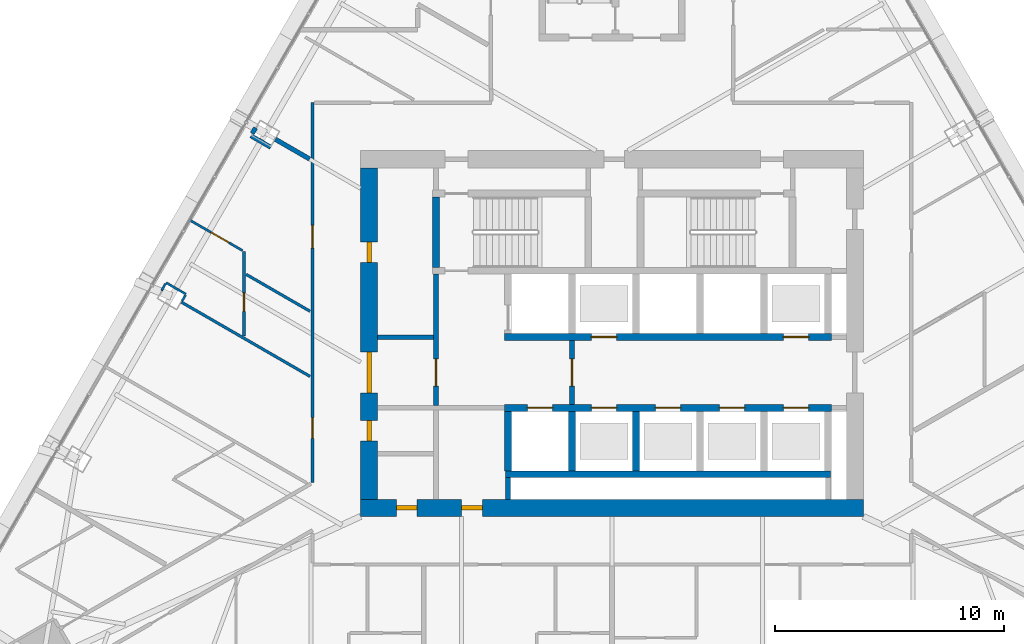
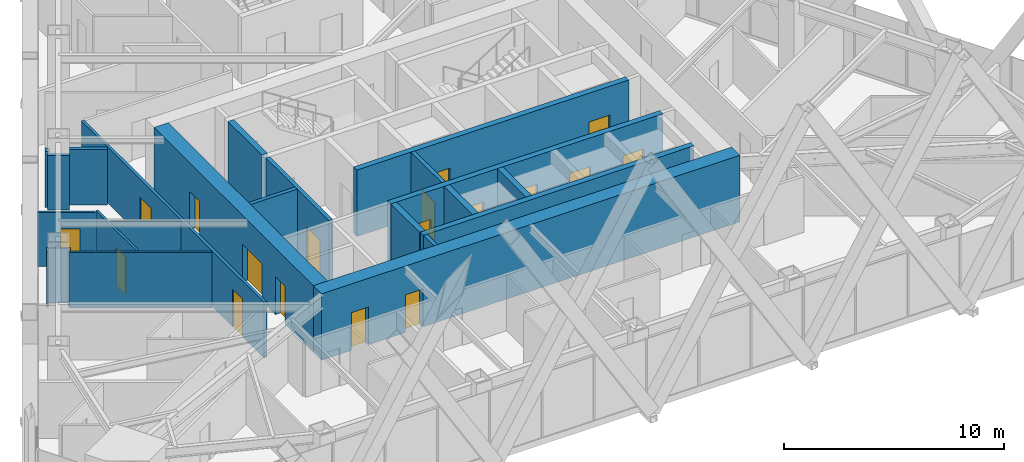
# One storey, part 14 of 19: 24 walls, 18 doors, 18 openings.
"""IFC4 building model written with IfcOpenShell, lengths in metres."""

from ifc_helpers import new_model, si_unit, direction, frame, frame_2d, origin, place, context, subcontext, project, spatial, rectangle, extrude, material, layer, layer_set, type_object, element, fill, save


model = new_model("IFC4")

# Units and contexts
model_context = context("Model", 3, precision=1e-05, world=origin(), true_north=direction((0.0, 1.0)))
body_context = subcontext(model_context, "Body", "Model", "MODEL_VIEW")
ifc_project = project(units=[si_unit("LENGTHUNIT", "METRE"), si_unit("AREAUNIT", "SQUARE_METRE"), si_unit("VOLUMEUNIT", "CUBIC_METRE"), si_unit("PLANEANGLEUNIT", "RADIAN"), si_unit("MASSUNIT", "GRAM", prefix="KILO")], contexts=[model_context])

# Site, building, storey
site_placement = place(None, origin())
site = spatial("IfcSite", under=ifc_project, at=site_placement, CompositionType="ELEMENT")
building_placement = place(site_placement, origin())
building = spatial("IfcBuilding", under=site, at=building_placement, Name="Firuza Gate Tower and Library", CompositionType="ELEMENT")
storey_placement = place(building_placement, frame((0.0, 0.0, 233.800048828125)))
storey = spatial("IfcBuildingStorey", under=building, at=storey_placement, Name="L55", CompositionType="ELEMENT", Elevation=233.800048828125)

# Wall
ifc_material_1 = material(Name="Plasterboard on steel studs", Category="steel")
ifc_layer_1 = layer(ifc_material_1, 0.199951171875)
ifc_layer_set_1 = layer_set([ifc_layer_1], Name="Core partition 200 EI 120")
wall_type_1 = type_object("IfcWallType", Name="Core partition 200 EI 120", PredefinedType="PARTITIONING", material=ifc_layer_set_1)
wall_1_placement = place(storey_placement, frame((64.75, 74.85009765625, 0.0), z_axis=(0.0, 0.0, 1.0), x_axis=(1.0, 0.0, 0.0)))
element("IfcWall", 1, at=wall_1_placement, inside=storey, type_object=wall_type_1, Name="Core partition L55 4", PredefinedType="PARTITIONING", context=body_context, shape_type="SweptSolid", body=[
    extrude(rectangle(XDim=2.449951171875, YDim=0.199951171875, at=frame_2d((1.22509765625, 0.0))), origin(), (0.0, 0.0, 1.0), 3.699951171875),
])

# Wall, opening, door
wall_2_placement = place(storey_placement, frame((67.300048828125, 71.85009765625, 0.0), z_axis=(0.0, 0.0, 1.0), x_axis=(0.0, 1.0, 0.0)))
wall_2 = element("IfcWall", 2, at=wall_2_placement, inside=storey, type_object=wall_type_1, Name="Core partition L55 8", PredefinedType="PARTITIONING", context=body_context, shape_type="SweptSolid", body=[
    extrude(rectangle(XDim=5.75, YDim=0.199951171875, at=frame_2d((2.875, 0.0))), origin(), (0.0, 0.0, 1.0), 3.699951171875),
])
opening_1_placement = place(wall_2_placement, frame((0.85009765625, 0.0, 0.0)))
opening_1 = element("IfcOpeningElement", 3, at=opening_1_placement, cuts=wall_2, Name="Opening L55-K19", PredefinedType="OPENING", context=body_context, shape_type="SweptSolid", body=[
    extrude(rectangle(XDim=1.199951171875, YDim=2.10009765625, at=frame_2d((0.60009765625, 1.050048828125))), frame((0.0, 0.10986328125, 0.0), z_axis=(0.0, -1.0, 0.0), x_axis=(1.0, 0.0, 0.0)), (0.0, 0.0, 1.0), 0.219970703125),
])
ifc_material_2 = material(Name="Steel", Category="steel")
door_type_1 = type_object("IfcDoorType", Name="Fire door 1200x2100 FD90S", OperationType="NOTDEFINED", PredefinedType="DOOR", material=ifc_material_2)
door_1_placement = place(opening_1_placement, origin())
door_1 = element("IfcDoor", 4, at=door_1_placement, inside=storey, type_object=door_type_1, Name="Door L55-K19", OperationType="SINGLE_SWING_RIGHT", OverallHeight=2.10009765625, OverallWidth=1.199951171875, PredefinedType="DOOR", context=body_context, shape_type="SweptSolid", body=[
    extrude(rectangle(XDim=1.199951171875, YDim=2.10009765625, at=frame_2d((0.60009765625, 1.050048828125))), frame((0.0, 0.02490234375, 0.0), z_axis=(0.0, -1.0, 0.0), x_axis=(1.0, 0.0, 0.0)), (0.0, 0.0, 1.0), 0.050048828125),
])
fill(opening_1, door_1)

# Wall
wall_3_placement = place(storey_placement, frame((70.449951171875, 67.75, 0.0), z_axis=(0.0, 0.0, 1.0), x_axis=(0.0, 1.0, 0.0)))
element("IfcWall", 5, at=wall_3_placement, inside=storey, type_object=wall_type_1, Name="Core partition L55 10", PredefinedType="PARTITIONING", context=body_context, shape_type="SweptSolid", body=[
    extrude(rectangle(XDim=0.949951171875, YDim=0.199951171875, at=frame_2d((0.47509765625, 0.0))), origin(), (0.0, 0.0, 1.0), 3.699951171875),
])

# Wall, opening, door
ifc_material_3 = material(Name="Plasterboard on steel studs", Category="steel")
ifc_layer_2 = layer(ifc_material_3, 0.199951171875)
ifc_layer_set_2 = layer_set([ifc_layer_2], Name="Core partition 200 EI 60")
wall_type_2 = type_object("IfcWallType", Name="Core partition 200 EI 60", PredefinedType="PARTITIONING", material=ifc_layer_set_2)
wall_4_placement = place(storey_placement, frame((73.25, 71.89990234375, 0.0), z_axis=(0.0, 0.0, 1.0), x_axis=(0.0, 1.0, 0.0)))
wall_4 = element("IfcWall", 6, at=wall_4_placement, inside=storey, type_object=wall_type_2, Name="Core partition L55 11", PredefinedType="PARTITIONING", context=body_context, shape_type="SweptSolid", body=[
    extrude(rectangle(XDim=2.800048828125, YDim=0.199951171875, at=frame_2d((1.39990234375, 0.0))), origin(), (0.0, 0.0, 1.0), 3.699951171875),
])
opening_2_placement = place(wall_4_placement, frame((0.800048828125, 0.0, 0.0)))
opening_2 = element("IfcOpeningElement", 7, at=opening_2_placement, cuts=wall_4, Name="Opening L55-K18", PredefinedType="OPENING", context=body_context, shape_type="SweptSolid", body=[
    extrude(rectangle(XDim=1.199951171875, YDim=2.10009765625, at=frame_2d((0.60009765625, 1.050048828125))), frame((0.0, 0.10986328125, 0.0), z_axis=(0.0, -1.0, 0.0), x_axis=(1.0, 0.0, 0.0)), (0.0, 0.0, 1.0), 0.219970703125),
])
door_2_placement = place(opening_2_placement, origin())
door_2 = element("IfcDoor", 8, at=door_2_placement, inside=storey, type_object=door_type_1, Name="Door L55-K18", OperationType="SINGLE_SWING_LEFT", OverallHeight=2.10009765625, OverallWidth=1.199951171875, PredefinedType="DOOR", context=body_context, shape_type="SweptSolid", body=[
    extrude(rectangle(XDim=1.199951171875, YDim=2.10009765625, at=frame_2d((0.60009765625, 1.050048828125))), frame((0.0, 0.02490234375, 0.0), z_axis=(0.0, -1.0, 0.0), x_axis=(1.0, 0.0, 0.0)), (0.0, 0.0, 1.0), 0.050048828125),
])
fill(opening_2, door_2)

# Wall
ifc_material_4 = material(Name="Concrete C80/95", Category="concrete")
ifc_layer_3 = layer(ifc_material_4, 0.300048828125)
ifc_layer_set_3 = layer_set([ifc_layer_3], Name="Core wall 300 C80/95")
wall_type_3 = type_object("IfcWallType", Name="Core wall 300 C80/95", PredefinedType="SHEAR", material=ifc_layer_set_3)
wall_5_placement = place(storey_placement, frame((70.35009765625, 68.85009765625, 0.0), z_axis=(0.0, 0.0, 1.0), x_axis=(1.0, 0.0, 0.0)))
element("IfcWall", 9, at=wall_5_placement, inside=storey, type_object=wall_type_3, Name="Core wall L55 5", PredefinedType="SHEAR", context=body_context, shape_type="SweptSolid", body=[
    extrude(rectangle(XDim=14.199951171875, YDim=0.300048828125, at=frame_2d((7.10009765625, 0.0))), origin(), (0.0, 0.0, 1.0), 3.699951171875),
])

# Wall, openings, doors
wall_6_placement = place(storey_placement, frame((70.300048828125, 71.75, 0.0), z_axis=(0.0, 0.0, 1.0), x_axis=(1.0, 0.0, 0.0)))
wall_6 = element("IfcWall", 10, at=wall_6_placement, inside=storey, type_object=wall_type_3, Name="Core wall L55 6", PredefinedType="SHEAR", context=body_context, shape_type="SweptSolid", body=[
    extrude(rectangle(XDim=14.300048828125, YDim=0.300048828125, at=frame_2d((7.14990234375, 0.0))), origin(), (0.0, 0.0, 1.0), 3.699951171875),
])
opening_3_placement = place(wall_6_placement, frame((1.0, 0.0, 0.0)))
opening_3 = element("IfcOpeningElement", 11, at=opening_3_placement, cuts=wall_6, Name="Opening LD-FF1-L55", PredefinedType="OPENING", context=body_context, shape_type="SweptSolid", body=[
    extrude(rectangle(XDim=1.10009765625, YDim=2.10009765625, at=frame_2d((0.550048828125, 1.050048828125))), frame((0.0, 0.16015625, 0.0), z_axis=(0.0, -1.0, 0.0), x_axis=(1.0, 0.0, 0.0)), (0.0, 0.0, 1.0), 0.320068359375),
])
opening_4_placement = place(wall_6_placement, frame((3.800048828125, 0.0, 0.0)))
opening_4 = element("IfcOpeningElement", 12, at=opening_4_placement, cuts=wall_6, Name="Opening LD-MR1-L55", PredefinedType="OPENING", context=body_context, shape_type="SweptSolid", body=[
    extrude(rectangle(XDim=1.10009765625, YDim=2.10009765625, at=frame_2d((0.550048828125, 1.050048828125))), frame((0.0, 0.16015625, 0.0), z_axis=(0.0, -1.0, 0.0), x_axis=(1.0, 0.0, 0.0)), (0.0, 0.0, 1.0), 0.320068359375),
])
opening_5_placement = place(wall_6_placement, frame((6.60009765625, 0.0, 0.0)))
opening_5 = element("IfcOpeningElement", 13, at=opening_5_placement, cuts=wall_6, Name="Opening LD-MR2-L55", PredefinedType="OPENING", context=body_context, shape_type="SweptSolid", body=[
    extrude(rectangle(XDim=1.10009765625, YDim=2.10009765625, at=frame_2d((0.550048828125, 1.050048828125))), frame((0.0, 0.16015625, 0.0), z_axis=(0.0, -1.0, 0.0), x_axis=(1.0, 0.0, 0.0)), (0.0, 0.0, 1.0), 0.320068359375),
])
opening_6_placement = place(wall_6_placement, frame((9.39990234375, 0.0, 0.0)))
opening_6 = element("IfcOpeningElement", 14, at=opening_6_placement, cuts=wall_6, Name="Opening LD-MR3-L55", PredefinedType="OPENING", context=body_context, shape_type="SweptSolid", body=[
    extrude(rectangle(XDim=1.10009765625, YDim=2.10009765625, at=frame_2d((0.550048828125, 1.050048828125))), frame((0.0, 0.16015625, 0.0), z_axis=(0.0, -1.0, 0.0), x_axis=(1.0, 0.0, 0.0)), (0.0, 0.0, 1.0), 0.320068359375),
])
opening_7_placement = place(wall_6_placement, frame((12.199951171875, 0.0, 0.0)))
opening_7 = element("IfcOpeningElement", 15, at=opening_7_placement, cuts=wall_6, Name="Opening LD-MR5-L55", PredefinedType="OPENING", context=body_context, shape_type="SweptSolid", body=[
    extrude(rectangle(XDim=1.10009765625, YDim=2.10009765625, at=frame_2d((0.550048828125, 1.050048828125))), frame((0.0, 0.16015625, 0.0), z_axis=(0.0, -1.0, 0.0), x_axis=(1.0, 0.0, 0.0)), (0.0, 0.0, 1.0), 0.320068359375),
])
ifc_material_5 = material(Name="Stainless steel", Category="steel")
door_type_2 = type_object("IfcDoorType", Name="Lift landing door 1100x2100", OperationType="DOUBLE_DOOR_SLIDING", PredefinedType="DOOR", material=ifc_material_5)
door_3_placement = place(opening_3_placement, origin())
door_3 = element("IfcDoor", 16, at=door_3_placement, inside=storey, type_object=door_type_2, Name="Landing door FF1 L55", OperationType="DOUBLE_DOOR_SLIDING", OverallHeight=2.10009765625, OverallWidth=1.10009765625, PredefinedType="DOOR", context=body_context, shape_type="SweptSolid", body=[
    extrude(rectangle(XDim=1.10009765625, YDim=2.10009765625, at=frame_2d((0.550048828125, 1.050048828125))), frame((0.0, 0.02490234375, 0.0), z_axis=(0.0, -1.0, 0.0), x_axis=(1.0, 0.0, 0.0)), (0.0, 0.0, 1.0), 0.050048828125),
])
fill(opening_3, door_3)
door_4_placement = place(opening_4_placement, origin())
door_4 = element("IfcDoor", 17, at=door_4_placement, inside=storey, type_object=door_type_2, Name="Landing door MR1 L55", OperationType="DOUBLE_DOOR_SLIDING", OverallHeight=2.10009765625, OverallWidth=1.10009765625, PredefinedType="DOOR", context=body_context, shape_type="SweptSolid", body=[
    extrude(rectangle(XDim=1.10009765625, YDim=2.10009765625, at=frame_2d((0.550048828125, 1.050048828125))), frame((0.0, 0.02490234375, 0.0), z_axis=(0.0, -1.0, 0.0), x_axis=(1.0, 0.0, 0.0)), (0.0, 0.0, 1.0), 0.050048828125),
])
fill(opening_4, door_4)
door_5_placement = place(opening_5_placement, origin())
door_5 = element("IfcDoor", 18, at=door_5_placement, inside=storey, type_object=door_type_2, Name="Landing door MR2 L55", OperationType="DOUBLE_DOOR_SLIDING", OverallHeight=2.10009765625, OverallWidth=1.10009765625, PredefinedType="DOOR", context=body_context, shape_type="SweptSolid", body=[
    extrude(rectangle(XDim=1.10009765625, YDim=2.10009765625, at=frame_2d((0.550048828125, 1.050048828125))), frame((0.0, 0.02490234375, 0.0), z_axis=(0.0, -1.0, 0.0), x_axis=(1.0, 0.0, 0.0)), (0.0, 0.0, 1.0), 0.050048828125),
])
fill(opening_5, door_5)
door_6_placement = place(opening_6_placement, origin())
door_6 = element("IfcDoor", 19, at=door_6_placement, inside=storey, type_object=door_type_2, Name="Landing door MR3 L55", OperationType="DOUBLE_DOOR_SLIDING", OverallHeight=2.10009765625, OverallWidth=1.10009765625, PredefinedType="DOOR", context=body_context, shape_type="SweptSolid", body=[
    extrude(rectangle(XDim=1.10009765625, YDim=2.10009765625, at=frame_2d((0.550048828125, 1.050048828125))), frame((0.0, 0.02490234375, 0.0), z_axis=(0.0, -1.0, 0.0), x_axis=(1.0, 0.0, 0.0)), (0.0, 0.0, 1.0), 0.050048828125),
])
fill(opening_6, door_6)
door_7_placement = place(opening_7_placement, origin())
door_7 = element("IfcDoor", 20, at=door_7_placement, inside=storey, type_object=door_type_2, Name="Landing door MR5 L55", OperationType="DOUBLE_DOOR_SLIDING", OverallHeight=2.10009765625, OverallWidth=1.10009765625, PredefinedType="DOOR", context=body_context, shape_type="SweptSolid", body=[
    extrude(rectangle(XDim=1.10009765625, YDim=2.10009765625, at=frame_2d((0.550048828125, 1.050048828125))), frame((0.0, 0.02490234375, 0.0), z_axis=(0.0, -1.0, 0.0), x_axis=(1.0, 0.0, 0.0)), (0.0, 0.0, 1.0), 0.050048828125),
])
fill(opening_7, door_7)

wall_7_placement = place(storey_placement, frame((70.300048828125, 74.85009765625, 0.0), z_axis=(0.0, 0.0, 1.0), x_axis=(1.0, 0.0, 0.0)))
wall_7 = element("IfcWall", 21, at=wall_7_placement, inside=storey, type_object=wall_type_3, Name="Core wall L55 7", PredefinedType="SHEAR", context=body_context, shape_type="SweptSolid", body=[
    extrude(rectangle(XDim=14.300048828125, YDim=0.300048828125, at=frame_2d((7.14990234375, 0.0))), origin(), (0.0, 0.0, 1.0), 3.699951171875),
])
opening_8_placement = place(wall_7_placement, frame((3.800048828125, 0.0, 0.0)))
opening_8 = element("IfcOpeningElement", 22, at=opening_8_placement, cuts=wall_7, Name="Opening LD-MR4-L55", PredefinedType="OPENING", context=body_context, shape_type="SweptSolid", body=[
    extrude(rectangle(XDim=1.10009765625, YDim=2.10009765625, at=frame_2d((0.550048828125, 1.050048828125))), frame((0.0, 0.16015625, 0.0), z_axis=(0.0, -1.0, 0.0), x_axis=(1.0, 0.0, 0.0)), (0.0, 0.0, 1.0), 0.320068359375),
])
opening_9_placement = place(wall_7_placement, frame((12.199951171875, 0.0, 0.0)))
opening_9 = element("IfcOpeningElement", 23, at=opening_9_placement, cuts=wall_7, Name="Opening LD-MR6-L55", PredefinedType="OPENING", context=body_context, shape_type="SweptSolid", body=[
    extrude(rectangle(XDim=1.10009765625, YDim=2.10009765625, at=frame_2d((0.550048828125, 1.050048828125))), frame((0.0, 0.16015625, 0.0), z_axis=(0.0, -1.0, 0.0), x_axis=(1.0, 0.0, 0.0)), (0.0, 0.0, 1.0), 0.320068359375),
])
door_8_placement = place(opening_8_placement, origin())
door_8 = element("IfcDoor", 24, at=door_8_placement, inside=storey, type_object=door_type_2, Name="Landing door MR4 L55", OperationType="DOUBLE_DOOR_SLIDING", OverallHeight=2.10009765625, OverallWidth=1.10009765625, PredefinedType="DOOR", context=body_context, shape_type="SweptSolid", body=[
    extrude(rectangle(XDim=1.10009765625, YDim=2.10009765625, at=frame_2d((0.550048828125, 1.050048828125))), frame((0.0, 0.02490234375, 0.0), z_axis=(0.0, -1.0, 0.0), x_axis=(1.0, 0.0, 0.0)), (0.0, 0.0, 1.0), 0.050048828125),
])
fill(opening_8, door_8)
door_9_placement = place(opening_9_placement, origin())
door_9 = element("IfcDoor", 25, at=door_9_placement, inside=storey, type_object=door_type_2, Name="Landing door MR6 L55", OperationType="DOUBLE_DOOR_SLIDING", OverallHeight=2.10009765625, OverallWidth=1.10009765625, PredefinedType="DOOR", context=body_context, shape_type="SweptSolid", body=[
    extrude(rectangle(XDim=1.10009765625, YDim=2.10009765625, at=frame_2d((0.550048828125, 1.050048828125))), frame((0.0, 0.02490234375, 0.0), z_axis=(0.0, -1.0, 0.0), x_axis=(1.0, 0.0, 0.0)), (0.0, 0.0, 1.0), 0.050048828125),
])
fill(opening_9, door_9)

# Walls
for number, where, z_axis, x_axis, name in (
    (26, (70.449951171875, 69.0, 0.0), (0.0, 0.0, 1.0), (0.0, 1.0, 0.0), "Core wall L55 8"),
    (27, (73.25, 69.0, 0.0), (0.0, 0.0, 1.0), (0.0, 1.0, 0.0), "Core wall L55 10"),
    (28, (76.050048828125, 69.0, 0.0), (0.0, 0.0, 1.0), (0.0, 1.0, 0.0), "Core wall L55 12"),
):
    element("IfcWall", number, at=place(storey_placement, frame(where, z_axis=z_axis, x_axis=x_axis)), inside=storey, type_object=wall_type_3, Name=name, PredefinedType="SHEAR", context=body_context, shape_type="SweptSolid", body=[
        extrude(rectangle(XDim=2.60009765625, YDim=0.300048828125, at=frame_2d((1.300048828125, 0.0))), origin(), (0.0, 0.0, 1.0), 3.699951171875),
    ])
wall_8_placement = place(storey_placement, frame((67.300048828125, 77.89990234375, 0.0), z_axis=(0.0, 0.0, 1.0), x_axis=(0.0, 1.0, 0.0)))
element("IfcWall", 29, at=wall_8_placement, inside=storey, type_object=wall_type_3, Name="Core wall L55 23", PredefinedType="SHEAR", context=body_context, shape_type="SweptSolid", body=[
    extrude(rectangle(XDim=3.080078125, YDim=0.300048828125, at=frame_2d((1.5400390625, 0.0))), origin(), (0.0, 0.0, 1.0), 3.699951171875),
])

# Wall, openings, doors
ifc_material_6 = material(Name="Concrete C80/95", Category="concrete")
ifc_layer_4 = layer(ifc_material_6, 0.75)
ifc_layer_set_4 = layer_set([ifc_layer_4], Name="Core wall 750 C80/95")
wall_type_4 = type_object("IfcWallType", Name="Core wall 750 C80/95", PredefinedType="SHEAR", material=ifc_layer_set_4)
wall_9_placement = place(storey_placement, frame((64.0, 67.375, 0.0), z_axis=(0.0, 0.0, 1.0), x_axis=(1.0, 0.0, 0.0)))
wall_9 = element("IfcWall", 30, at=wall_9_placement, inside=storey, type_object=wall_type_4, Name="Core wall L55 1", PredefinedType="SHEAR", context=body_context, shape_type="SweptSolid", body=[
    extrude(rectangle(XDim=22.0, YDim=0.75, at=frame_2d((11.0, 0.0))), origin(), (0.0, 0.0, 1.0), 3.699951171875),
])
opening_10_placement = place(wall_9_placement, frame((1.574951171875, 0.0, 0.0)))
opening_10 = element("IfcOpeningElement", 31, at=opening_10_placement, cuts=wall_9, Name="Opening L55-K22", PredefinedType="OPENING", context=body_context, shape_type="SweptSolid", body=[
    extrude(rectangle(XDim=0.89990234375, YDim=2.10009765625, at=frame_2d((0.449951171875, 1.050048828125))), frame((0.0, 0.385009765625, 0.0), z_axis=(0.0, -1.0, 0.0), x_axis=(1.0, 0.0, 0.0)), (0.0, 0.0, 1.0), 0.77001953125),
])
opening_11_placement = place(wall_9_placement, frame((4.425048828125, 0.0, 0.0)))
opening_11 = element("IfcOpeningElement", 32, at=opening_11_placement, cuts=wall_9, Name="Opening L55-K24", PredefinedType="OPENING", context=body_context, shape_type="SweptSolid", body=[
    extrude(rectangle(XDim=0.89990234375, YDim=2.10009765625, at=frame_2d((0.449951171875, 1.050048828125))), frame((0.0, 0.385009765625, 0.0), z_axis=(0.0, -1.0, 0.0), x_axis=(1.0, 0.0, 0.0)), (0.0, 0.0, 1.0), 0.77001953125),
])
ifc_material_7 = material(Name="Steel", Category="steel")
door_type_3 = type_object("IfcDoorType", Name="Fire door 900x2100 FD30S", OperationType="NOTDEFINED", PredefinedType="DOOR", material=ifc_material_7)
door_10_placement = place(opening_10_placement, origin())
door_10 = element("IfcDoor", 33, at=door_10_placement, inside=storey, type_object=door_type_3, Name="Door L55-K22", OperationType="SINGLE_SWING_LEFT", OverallHeight=2.10009765625, OverallWidth=0.89990234375, PredefinedType="DOOR", context=body_context, shape_type="SweptSolid", body=[
    extrude(rectangle(XDim=0.89990234375, YDim=2.10009765625, at=frame_2d((0.449951171875, 1.050048828125))), frame((0.0, 0.094970703125, 0.0), z_axis=(0.0, -1.0, 0.0), x_axis=(1.0, 0.0, 0.0)), (0.0, 0.0, 1.0), 0.18994140625),
])
fill(opening_10, door_10)
door_11_placement = place(opening_11_placement, origin())
door_11 = element("IfcDoor", 34, at=door_11_placement, inside=storey, type_object=door_type_3, Name="Door L55-K24", OperationType="SINGLE_SWING_LEFT", OverallHeight=2.10009765625, OverallWidth=0.89990234375, PredefinedType="DOOR", context=body_context, shape_type="SweptSolid", body=[
    extrude(rectangle(XDim=0.89990234375, YDim=2.10009765625, at=frame_2d((0.449951171875, 1.050048828125))), frame((0.0, 0.094970703125, 0.0), z_axis=(0.0, -1.0, 0.0), x_axis=(1.0, 0.0, 0.0)), (0.0, 0.0, 1.0), 0.18994140625),
])
fill(opening_11, door_11)

wall_10_placement = place(storey_placement, frame((64.375, 67.75, 0.0), z_axis=(0.0, 0.0, 1.0), x_axis=(0.0, 1.0, 0.0)))
wall_10 = element("IfcWall", 35, at=wall_10_placement, inside=storey, type_object=wall_type_4, Name="Core wall L55 3", PredefinedType="SHEAR", context=body_context, shape_type="SweptSolid", body=[
    extrude(rectangle(XDim=14.5, YDim=0.75, at=frame_2d((7.25, 0.0))), origin(), (0.0, 0.0, 1.0), 3.699951171875),
])
opening_12_placement = place(wall_10_placement, frame((4.64990234375, 0.0, 0.0)))
opening_12 = element("IfcOpeningElement", 36, at=opening_12_placement, cuts=wall_10, Name="Opening L55-K20", PredefinedType="OPENING", context=body_context, shape_type="SweptSolid", body=[
    extrude(rectangle(XDim=1.800048828125, YDim=2.10009765625, at=frame_2d((0.89990234375, 1.050048828125))), frame((0.0, 0.385009765625, 0.0), z_axis=(0.0, -1.0, 0.0), x_axis=(1.0, 0.0, 0.0)), (0.0, 0.0, 1.0), 0.77001953125),
])
opening_13_placement = place(wall_10_placement, frame((2.550048828125, 0.0, 0.0)))
opening_13 = element("IfcOpeningElement", 37, at=opening_13_placement, cuts=wall_10, Name="Opening L55-K23", PredefinedType="OPENING", context=body_context, shape_type="SweptSolid", body=[
    extrude(rectangle(XDim=0.89990234375, YDim=2.10009765625, at=frame_2d((0.449951171875, 1.050048828125))), frame((0.0, 0.385009765625, 0.0), z_axis=(0.0, -1.0, 0.0), x_axis=(1.0, 0.0, 0.0)), (0.0, 0.0, 1.0), 0.77001953125),
])
opening_14_placement = place(wall_10_placement, frame((10.35009765625, 0.0, 0.0)))
opening_14 = element("IfcOpeningElement", 38, at=opening_14_placement, cuts=wall_10, Name="Opening L55-K25", PredefinedType="OPENING", context=body_context, shape_type="SweptSolid", body=[
    extrude(rectangle(XDim=0.89990234375, YDim=2.10009765625, at=frame_2d((0.449951171875, 1.050048828125))), frame((0.0, 0.385009765625, 0.0), z_axis=(0.0, -1.0, 0.0), x_axis=(1.0, 0.0, 0.0)), (0.0, 0.0, 1.0), 0.77001953125),
])
ifc_material_8 = material(Name="Steel", Category="steel")
door_type_4 = type_object("IfcDoorType", Name="Fire door 1800x2100 FD30S", OperationType="NOTDEFINED", PredefinedType="DOOR", material=ifc_material_8)
door_12_placement = place(opening_12_placement, origin())
door_12 = element("IfcDoor", 39, at=door_12_placement, inside=storey, type_object=door_type_4, Name="Door L55-K20", OperationType="SINGLE_SWING_LEFT", OverallHeight=2.10009765625, OverallWidth=1.800048828125, PredefinedType="DOOR", context=body_context, shape_type="SweptSolid", body=[
    extrude(rectangle(XDim=1.800048828125, YDim=2.10009765625, at=frame_2d((0.89990234375, 1.050048828125))), frame((0.0, 0.094970703125, 0.0), z_axis=(0.0, -1.0, 0.0), x_axis=(1.0, 0.0, 0.0)), (0.0, 0.0, 1.0), 0.18994140625),
])
fill(opening_12, door_12)
door_13_placement = place(opening_13_placement, origin())
door_13 = element("IfcDoor", 40, at=door_13_placement, inside=storey, type_object=door_type_3, Name="Door L55-K23", OperationType="SINGLE_SWING_RIGHT", OverallHeight=2.10009765625, OverallWidth=0.89990234375, PredefinedType="DOOR", context=body_context, shape_type="SweptSolid", body=[
    extrude(rectangle(XDim=0.89990234375, YDim=2.10009765625, at=frame_2d((0.449951171875, 1.050048828125))), frame((0.0, 0.094970703125, 0.0), z_axis=(0.0, -1.0, 0.0), x_axis=(1.0, 0.0, 0.0)), (0.0, 0.0, 1.0), 0.18994140625),
])
fill(opening_13, door_13)
door_14_placement = place(opening_14_placement, origin())
door_14 = element("IfcDoor", 41, at=door_14_placement, inside=storey, type_object=door_type_3, Name="Door L55-K25", OperationType="SINGLE_SWING_RIGHT", OverallHeight=2.10009765625, OverallWidth=0.89990234375, PredefinedType="DOOR", context=body_context, shape_type="SweptSolid", body=[
    extrude(rectangle(XDim=0.89990234375, YDim=2.10009765625, at=frame_2d((0.449951171875, 1.050048828125))), frame((0.0, 0.094970703125, 0.0), z_axis=(0.0, -1.0, 0.0), x_axis=(1.0, 0.0, 0.0)), (0.0, 0.0, 1.0), 0.18994140625),
])
fill(opening_14, door_14)

ifc_material_9 = material(Name="Gypsum board partition")
ifc_layer_5 = layer(ifc_material_9, 0.14990234375)
ifc_layer_set_5 = layer_set([ifc_layer_5], Name="Corridor wall 150 double board on steel studs")
wall_type_5 = type_object("IfcWallType", Name="Corridor wall 150 double board on steel studs", PredefinedType="PARTITIONING", material=ifc_layer_set_5)
wall_11_placement = place(storey_placement, frame((61.89990234375, 68.47607421875, 0.0), z_axis=(0.0, 0.0, 1.0), x_axis=(0.0, 1.0, 0.0)))
wall_11 = element("IfcWall", 42, at=wall_11_placement, inside=storey, type_object=wall_type_5, Name="f:L55:w066", PredefinedType="PARTITIONING", context=body_context, shape_type="SweptSolid", body=[
    extrude(rectangle(XDim=16.62353515625, YDim=0.14990234375, at=frame_2d((8.311767578125, 0.0))), origin(), (0.0, 0.0, 1.0), 3.099853515625),
])
opening_15_placement = place(wall_11_placement, frame((1.9462890625, 0.0, 0.0)))
opening_15 = element("IfcOpeningElement", 43, at=opening_15_placement, cuts=wall_11, Name="Opening L55-32", PredefinedType="OPENING", context=body_context, shape_type="SweptSolid", body=[
    extrude(rectangle(XDim=0.89990234375, YDim=2.10009765625, at=frame_2d((0.449951171875, 1.050048828125))), frame((0.0, 0.0849609375, 0.0), z_axis=(0.0, -1.0, 0.0), x_axis=(1.0, 0.0, 0.0)), (0.0, 0.0, 1.0), 0.169921875),
])
opening_16_placement = place(wall_11_placement, frame((10.26318359375, 0.0, 0.0)))
opening_16 = element("IfcOpeningElement", 44, at=opening_16_placement, cuts=wall_11, Name="Opening L55-33", PredefinedType="OPENING", context=body_context, shape_type="SweptSolid", body=[
    extrude(rectangle(XDim=1.0, YDim=2.10009765625, at=frame_2d((0.5, 1.050048828125))), frame((0.0, 0.0849609375, 0.0), z_axis=(0.0, -1.0, 0.0), x_axis=(1.0, 0.0, 0.0)), (0.0, 0.0, 1.0), 0.169921875),
])
ifc_material_10 = material(Name="Steel door and timber leaf", Category="steel")
door_type_5 = type_object("IfcDoorType", Name="Fire door 1000 x 2100 steel frame, timber leaf", OperationType="NOTDEFINED", PredefinedType="DOOR", material=ifc_material_10)
door_15_placement = place(opening_16_placement, origin())
door_15 = element("IfcDoor", 45, at=door_15_placement, inside=storey, type_object=door_type_5, Name="f:L55:d033", OperationType="SINGLE_SWING_LEFT", OverallHeight=2.10009765625, OverallWidth=1.0, PredefinedType="DOOR", context=body_context, shape_type="SweptSolid", body=[
    extrude(rectangle(XDim=1.0, YDim=2.10009765625, at=frame_2d((0.5, 1.050048828125))), frame((0.0, 0.02490234375, 0.0), z_axis=(0.0, -1.0, 0.0), x_axis=(1.0, 0.0, 0.0)), (0.0, 0.0, 1.0), 0.050048828125),
])
fill(opening_16, door_15)
ifc_material_11 = material(Name="Steel door and timber leaf", Category="steel")
door_type_6 = type_object("IfcDoorType", Name="Fire door 900 x 2100 steel frame, timber leaf", OperationType="NOTDEFINED", PredefinedType="DOOR", material=ifc_material_11)
door_16_placement = place(opening_15_placement, origin())
door_16 = element("IfcDoor", 46, at=door_16_placement, inside=storey, type_object=door_type_6, Name="f:L55:d032", OperationType="SINGLE_SWING_RIGHT", OverallHeight=2.10009765625, OverallWidth=0.89990234375, PredefinedType="DOOR", context=body_context, shape_type="SweptSolid", body=[
    extrude(rectangle(XDim=0.89990234375, YDim=2.10009765625, at=frame_2d((0.449951171875, 1.050048828125))), frame((0.0, 0.02490234375, 0.0), z_axis=(0.0, -1.0, 0.0), x_axis=(1.0, 0.0, 0.0)), (0.0, 0.0, 1.0), 0.050048828125),
])
fill(opening_15, door_16)

# Walls
ifc_material_12 = material(Name="Gypsum board partition")
ifc_layer_6 = layer(ifc_material_12, 0.199951171875)
ifc_layer_set_6 = layer_set([ifc_layer_6], Name="Demising wall 200 acoustic double stud")
wall_type_6 = type_object("IfcWallType", Name="Demising wall 200 acoustic double stud", PredefinedType="PARTITIONING", material=ifc_layer_set_6)
wall_12_placement = place(storey_placement, frame((59.26318359375, 83.750732421875, 0.0), z_axis=(0.0, 0.0, 1.0), x_axis=(0.499941024108, 0.866059450854, 0.0)))
element("IfcWall", 47, at=wall_12_placement, inside=storey, type_object=wall_type_6, Name="f:L55:w038", PredefinedType="PARTITIONING", context=body_context, shape_type="SweptSolid", body=[
    extrude(rectangle(XDim=0.2900390625, YDim=0.199951171875, at=frame_2d((0.14501953125, 0.0))), origin(), (0.0, 0.0, 1.0), 3.099853515625),
])
wall_13_placement = place(storey_placement, frame((61.773193359375, 82.63671875, 0.0), z_axis=(0.0, 0.0, 1.0), x_axis=(-0.866082241464, 0.499901541327, 0.0)))
element("IfcWall", 48, at=wall_13_placement, inside=storey, type_object=wall_type_6, Name="f:L55:w084", PredefinedType="PARTITIONING", context=body_context, shape_type="SweptSolid", body=[
    extrude(rectangle(XDim=1.730712890625, YDim=0.199951171875, at=frame_2d((0.865234375, 0.0))), origin(), (0.0, 0.0, 1.0), 3.099853515625),
])
wall_14_placement = place(storey_placement, frame((60.07421875, 83.15576171875, 0.0), z_axis=(0.0, 0.0, 1.0), x_axis=(-0.866010750942, 0.50002537861, 0.0)))
element("IfcWall", 49, at=wall_14_placement, inside=storey, type_object=wall_type_6, Name="f:L55:w085", PredefinedType="PARTITIONING", context=body_context, shape_type="SweptSolid", body=[
    extrude(rectangle(XDim=1.0, YDim=0.199951171875, at=frame_2d((0.5, 0.0))), origin(), (0.0, 0.0, 1.0), 3.02197265625),
])
ifc_material_13 = material(Name="Gypsum board partition")
ifc_layer_7 = layer(ifc_material_13, 0.10009765625)
ifc_layer_set_7 = layer_set([ifc_layer_7], Name="Partition 100 gypsum board on steel studs")
wall_type_7 = type_object("IfcWallType", Name="Partition 100 gypsum board on steel studs", PredefinedType="PARTITIONING", material=ifc_layer_set_7)
wall_15_placement = place(storey_placement, frame((56.191650390625, 76.430908203125, 0.0), z_axis=(0.0, 0.0, 1.0), x_axis=(0.500136839105, 0.865946385275, 0.0)))
element("IfcWall", 50, at=wall_15_placement, inside=storey, type_object=wall_type_7, Name="f:L55:w036", PredefinedType="PARTITIONING", context=body_context, shape_type="SweptSolid", body=[
    extrude(rectangle(XDim=0.2890625, YDim=0.10009765625, at=frame_2d((0.14453125, 0.0))), origin(), (0.0, 0.0, 1.0), 3.099853515625),
])
wall_16_placement = place(storey_placement, frame((55.295654296875, 76.87890625, 0.0), z_axis=(0.0, 0.0, 1.0), x_axis=(0.500126092966, 0.865952591736, 0.0)))
element("IfcWall", 51, at=wall_16_placement, inside=storey, type_object=wall_type_7, Name="f:L55:w037", PredefinedType="PARTITIONING", context=body_context, shape_type="SweptSolid", body=[
    extrude(rectangle(XDim=0.34912109375, YDim=0.10009765625, at=frame_2d((0.174560546875, 0.0))), origin(), (0.0, 0.0, 1.0), 3.099853515625),
])

# Wall, opening, door
wall_17_placement = place(storey_placement, frame((58.84033203125, 78.631591796875, 0.0), z_axis=(0.0, 0.0, 1.0), x_axis=(-0.866049230234, 0.499958729108, 0.0)))
wall_17 = element("IfcWall", 52, at=wall_17_placement, inside=storey, type_object=wall_type_7, Name="f:L55:w087", PredefinedType="PARTITIONING", context=body_context, shape_type="SweptSolid", body=[
    extrude(rectangle(XDim=2.653564453125, YDim=0.10009765625, at=frame_2d((1.32666015625, 0.0))), origin(), (0.0, 0.0, 1.0), 3.02197265625),
])
opening_17_placement = place(wall_17_placement, frame((0.69677734375, 0.0, 0.0)))
opening_17 = element("IfcOpeningElement", 53, at=opening_17_placement, cuts=wall_17, Name="Opening L55-38", PredefinedType="OPENING", context=body_context, shape_type="SweptSolid", body=[
    extrude(rectangle(XDim=0.89990234375, YDim=2.10009765625, at=frame_2d((0.449951171875, 1.050048828125))), frame((0.0, 0.06005859375, 0.0), z_axis=(0.0, -1.0, 0.0), x_axis=(1.0, 0.0, 0.0)), (0.0, 0.0, 1.0), 0.1201171875),
])
ifc_material_14 = material(Name="Timber door", Category="wood")
door_type_7 = type_object("IfcDoorType", Name="Door 900 x 2100 timber leaf", OperationType="NOTDEFINED", PredefinedType="DOOR", material=ifc_material_14)
door_17_placement = place(opening_17_placement, origin())
door_17 = element("IfcDoor", 54, at=door_17_placement, inside=storey, type_object=door_type_7, Name="f:L55:d038", OperationType="SINGLE_SWING_RIGHT", OverallHeight=2.10009765625, OverallWidth=0.89990234375, PredefinedType="DOOR", context=body_context, shape_type="SweptSolid", body=[
    extrude(rectangle(XDim=0.89990234375, YDim=2.10009765625, at=frame_2d((0.449951171875, 1.050048828125))), frame((0.0, 0.02490234375, 0.0), z_axis=(0.0, -1.0, 0.0), x_axis=(1.0, 0.0, 0.0)), (0.0, 0.0, 1.0), 0.050048828125),
])
fill(opening_17, door_17)

# Wall
wall_18_placement = place(storey_placement, frame((56.36083984375, 76.724853515625, 0.0), z_axis=(0.0, 0.0, 1.0), x_axis=(-0.866039090965, 0.499976292358, 0.0)))
element("IfcWall", 55, at=wall_18_placement, inside=storey, type_object=wall_type_7, Name="f:L55:w089", PredefinedType="PARTITIONING", context=body_context, shape_type="SweptSolid", body=[
    extrude(rectangle(XDim=0.9990234375, YDim=0.10009765625, at=frame_2d((0.49951171875, 0.0))), origin(), (0.0, 0.0, 1.0), 3.02197265625),
])

# Wall, opening, door
ifc_material_15 = material(Name="Gypsum board partition")
ifc_layer_8 = layer(ifc_material_15, 0.1201171875)
ifc_layer_set_8 = layer_set([ifc_layer_8], Name="Wet-area partition 120 moisture-resistant board")
wall_type_8 = type_object("IfcWallType", Name="Wet-area partition 120 moisture-resistant board", PredefinedType="PARTITIONING", material=ifc_layer_set_8)
wall_19_placement = place(storey_placement, frame((58.89990234375, 78.596435546875, 0.0), z_axis=(0.0, 0.0, 1.0), x_axis=(0.0, -1.0, 0.0)))
wall_19 = element("IfcWall", 56, at=wall_19_placement, inside=storey, type_object=wall_type_8, Name="f:L55:w068", PredefinedType="PARTITIONING", context=body_context, shape_type="SweptSolid", body=[
    extrude(rectangle(XDim=3.68994140625, YDim=0.1201171875, at=frame_2d((1.844970703125, 0.0))), origin(), (0.0, 0.0, 1.0), 3.099853515625),
])
opening_18_placement = place(wall_19_placement, frame((1.81982421875, 0.0, 0.0)))
opening_18 = element("IfcOpeningElement", 57, at=opening_18_placement, cuts=wall_19, Name="Opening L55-34", PredefinedType="OPENING", context=body_context, shape_type="SweptSolid", body=[
    extrude(rectangle(XDim=0.800048828125, YDim=2.10009765625, at=frame_2d((0.39990234375, 1.050048828125))), frame((0.0, 0.070068359375, 0.0), z_axis=(0.0, -1.0, 0.0), x_axis=(1.0, 0.0, 0.0)), (0.0, 0.0, 1.0), 0.14013671875),
])
ifc_material_16 = material(Name="Timber door", Category="wood")
door_type_8 = type_object("IfcDoorType", Name="Door 800 x 2100 timber leaf", OperationType="NOTDEFINED", PredefinedType="DOOR", material=ifc_material_16)
door_18_placement = place(opening_18_placement, origin())
door_18 = element("IfcDoor", 58, at=door_18_placement, inside=storey, type_object=door_type_8, Name="f:L55:d034", OperationType="SINGLE_SWING_RIGHT", OverallHeight=2.10009765625, OverallWidth=0.800048828125, PredefinedType="DOOR", context=body_context, shape_type="SweptSolid", body=[
    extrude(rectangle(XDim=0.800048828125, YDim=2.10009765625, at=frame_2d((0.39990234375, 1.050048828125))), frame((0.0, 0.02490234375, 0.0), z_axis=(0.0, -1.0, 0.0), x_axis=(1.0, 0.0, 0.0)), (0.0, 0.0, 1.0), 0.050048828125),
])
fill(opening_18, door_18)

# Walls
wall_20_placement = place(storey_placement, frame((61.790283203125, 75.97802734375, 0.0), z_axis=(0.0, 0.0, 1.0), x_axis=(-0.866033195618, 0.499986503906, 0.0)))
element("IfcWall", 59, at=wall_20_placement, inside=storey, type_object=wall_type_8, Name="f:L55:w088", PredefinedType="PARTITIONING", context=body_context, shape_type="SweptSolid", body=[
    extrude(rectangle(XDim=3.22802734375, YDim=0.1201171875, at=frame_2d((1.614013671875, 0.0))), origin(), (0.0, 0.0, 1.0), 3.099853515625),
])
wall_21_placement = place(storey_placement, frame((61.790283203125, 73.128173828125, 0.0), z_axis=(0.0, 0.0, 1.0), x_axis=(-0.866022320763, 0.500005339912, 0.0)))
element("IfcWall", 60, at=wall_21_placement, inside=storey, type_object=wall_type_8, Name="f:L55:w090", PredefinedType="PARTITIONING", context=body_context, shape_type="SweptSolid", body=[
    extrude(rectangle(XDim=6.49951171875, YDim=0.1201171875, at=frame_2d((3.249755859375, 0.0))), origin(), (0.0, 0.0, 1.0), 3.099853515625),
])

save(model, "model.ifc")
